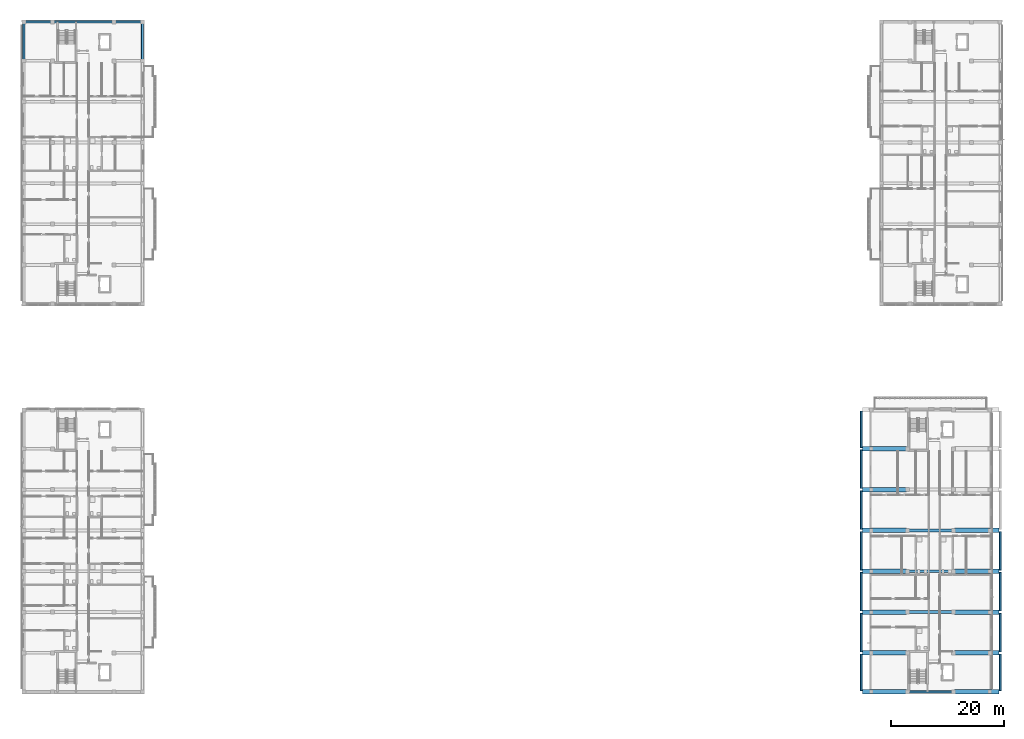
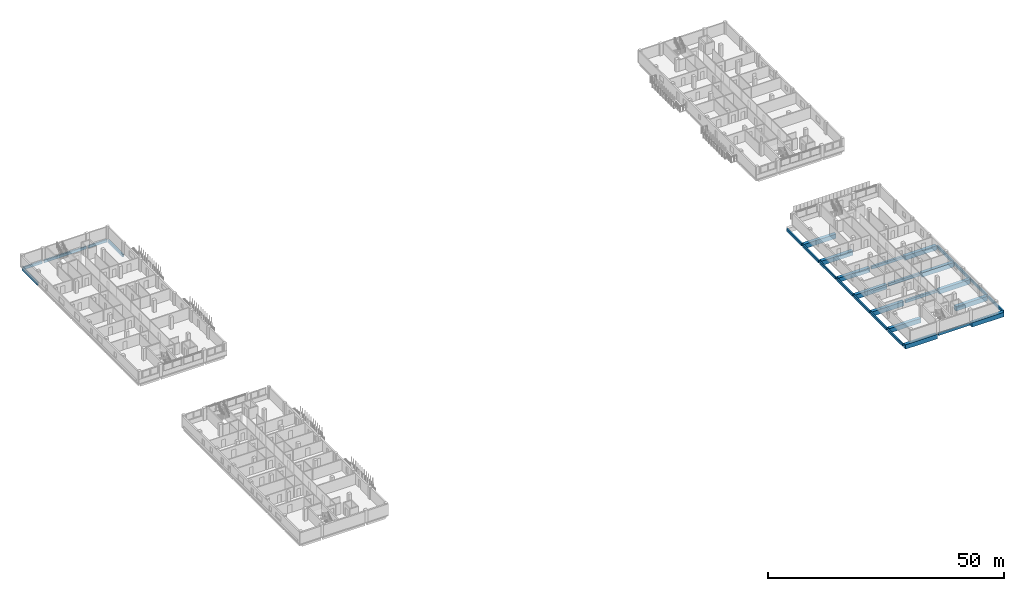
# One storey, part 14 of 51: 32 beams.
"""IFC4 building model written with IfcOpenShell, lengths in metres."""

from ifc_helpers import new_model, si_unit, derived_unit, direction, frame, origin, origin_2d, place, context, subcontext, project, spatial, rectangle, extrude, material, material_profile, profile_set, type_object, element, save


model = new_model("IFC4")

# Units and contexts
model_context = context("Model", 3, precision=1e-05, world=origin(), true_north=direction((0.0, 1.0)))
body_context = subcontext(model_context, "Body", "Model", "MODEL_VIEW")
ifc_project = project(units=[si_unit("LENGTHUNIT", "METRE"), si_unit("AREAUNIT", "SQUARE_METRE"), si_unit("VOLUMEUNIT", "CUBIC_METRE"), si_unit("PLANEANGLEUNIT", "RADIAN"), si_unit("MASSUNIT", "GRAM", prefix="KILO"), derived_unit("THERMALTRANSMITTANCEUNIT", [(si_unit("MASSUNIT", "GRAM", prefix="KILO"), 1), (si_unit("TIMEUNIT", "SECOND"), -3), (si_unit("THERMODYNAMICTEMPERATUREUNIT", "KELVIN"), -1)])], contexts=[model_context])

# Site, building, storey
site_placement = place(None, origin())
site = spatial("IfcSite", under=ifc_project, at=site_placement, CompositionType="ELEMENT")
building_placement = place(site_placement, origin())
building = spatial("IfcBuilding", under=site, at=building_placement, Name="Ochrekiln Boulevard Commons", CompositionType="ELEMENT")
storey_placement = place(building_placement, frame((0.0, 0.0, 18.375)))
storey = spatial("IfcBuildingStorey", under=building, at=storey_placement, Name="L05", CompositionType="ELEMENT", Elevation=18.375)

# Beams
ifc_material = material(Name="Concrete C40/50", Category="concrete")
ifc_material_profile_1 = material_profile(ifc_material, rectangle(XDim=0.5, YDim=0.699951171875, at=origin_2d()), Name="RC-BM-500x700")
ifc_profile_set_1 = profile_set([ifc_material_profile_1], Name="Concrete C40/50")
beam_type_1 = type_object("IfcBeamType", Name="BM-RC-500x700", PredefinedType="BEAM", material=ifc_profile_set_1)
for number, where, z_axis, x_axis, name in (
    (1, (156.360107421875, 14.39990234375, -0.610107421875), (1.0, 0.0, 0.0), (0.0, 1.0, 0.0), "Block C L05 Beam B-5070 X7"),
    (2, (156.360107421875, 21.60009765625, -0.610107421875), (1.0, 0.0, 0.0), (0.0, 1.0, 0.0), "Block C L05 Beam B-5070 X10"),
    (3, (156.360107421875, 28.800048828125, -0.610107421875), (1.0, 0.0, 0.0), (0.0, 1.0, 0.0), "Block C L05 Beam B-5070 X13"),
):
    element("IfcBeam", number, at=place(storey_placement, frame(where, z_axis=z_axis, x_axis=x_axis)), inside=storey, type_object=beam_type_1, Name=name, PredefinedType="BEAM", context=body_context, shape_type="SweptSolid", body=[
        extrude(rectangle(XDim=0.5, YDim=0.699951171875, at=origin_2d()), origin(), (0.0, 0.0, 1.0), 7.679931640625),
    ])
ifc_material_profile_2 = material_profile(ifc_material, rectangle(XDim=0.800048828125, YDim=1.14990234375, at=origin_2d()), Name="RC-TRG-800x1150")
ifc_profile_set_2 = profile_set([ifc_material_profile_2], Name="Concrete C40/50")
beam_type_2 = type_object("IfcBeamType", Name="BM-TRG-800x1150", PredefinedType="BEAM", material=ifc_profile_set_2)
for number, where, z_axis, x_axis, name in (
    (4, (148.159912109375, 0.35009765625, -0.8349609375), (1.0, 0.0, 0.0), (0.0, 1.0, 0.0), "Block C L05 Beam TG-01 X1"),
    (5, (164.4599609375, 0.35009765625, -0.8349609375), (1.0, 0.0, 0.0), (0.0, 1.0, 0.0), "Block C L05 Beam TG-01 X3"),
    (6, (148.159912109375, 7.199951171875, -0.8349609375), (1.0, 0.0, 0.0), (0.0, 1.0, 0.0), "Block C L05 Beam TG-01 X4"),
    (7, (164.4599609375, 7.199951171875, -0.8349609375), (1.0, 0.0, 0.0), (0.0, 1.0, 0.0), "Block C L05 Beam TG-01 X5"),
    (8, (148.159912109375, 14.39990234375, -0.8349609375), (1.0, 0.0, 0.0), (0.0, 1.0, 0.0), "Block C L05 Beam TG-01 X6"),
    (9, (164.4599609375, 14.39990234375, -0.8349609375), (1.0, 0.0, 0.0), (0.0, 1.0, 0.0), "Block C L05 Beam TG-01 X8"),
    (10, (148.159912109375, 21.60009765625, -0.8349609375), (1.0, 0.0, 0.0), (0.0, 1.0, 0.0), "Block C L05 Beam TG-01 X9"),
    (11, (164.4599609375, 21.60009765625, -0.8349609375), (1.0, 0.0, 0.0), (0.0, 1.0, 0.0), "Block C L05 Beam TG-01 X11"),
    (12, (148.159912109375, 28.800048828125, -0.8349609375), (1.0, 0.0, 0.0), (0.0, 1.0, 0.0), "Block C L05 Beam TG-01 X12"),
    (13, (164.4599609375, 28.800048828125, -0.8349609375), (1.0, 0.0, 0.0), (0.0, 1.0, 0.0), "Block C L05 Beam TG-01 X14"),
    (14, (148.159912109375, 36.0, -0.8349609375), (1.0, 0.0, 0.0), (0.0, 1.0, 0.0), "Block C L05 Beam TG-01 X15"),
    (15, (148.159912109375, 43.199951171875, -0.8349609375), (1.0, 0.0, 0.0), (0.0, 1.0, 0.0), "Block C L05 Beam TG-01 X18"),
):
    element("IfcBeam", number, at=place(storey_placement, frame(where, z_axis=z_axis, x_axis=x_axis)), inside=storey, type_object=beam_type_2, Name=name, PredefinedType="BEAM", context=body_context, shape_type="SweptSolid", body=[
        extrude(rectangle(XDim=0.800048828125, YDim=1.14990234375, at=origin_2d()), origin(), (0.0, 0.0, 1.0), 7.780029296875),
    ])
ifc_material_profile_3 = material_profile(ifc_material, rectangle(XDim=0.35009765625, YDim=0.64990234375, at=origin_2d()), Name="RC-SPN-350x650")
ifc_profile_set_3 = profile_set([ifc_material_profile_3], Name="Concrete C40/50")
beam_type_3 = type_object("IfcBeamType", Name="SPN-RC-350x650", PredefinedType="SPANDREL", material=ifc_profile_set_3)
beam_1_placement = place(storey_placement, frame((0.56005859375, 118.449951171875, -0.5849609375), z_axis=(1.0, 0.0, 0.0), x_axis=(0.0, 1.0, 0.0)))
element("IfcBeam", 16, at=beam_1_placement, inside=storey, type_object=beam_type_3, Name="Block A L05 Beam SP-3565 X20", PredefinedType="SPANDREL", context=body_context, shape_type="SweptSolid", body=[
    extrude(rectangle(XDim=0.35009765625, YDim=0.64990234375, at=origin_2d()), origin(), (0.0, 0.0, 1.0), 4.6298828125),
])
beam_2_placement = place(storey_placement, frame((5.610107421875, 118.449951171875, -0.5849609375), z_axis=(1.0, 0.0, 0.0), x_axis=(0.0, 1.0, 0.0)))
element("IfcBeam", 17, at=beam_2_placement, inside=storey, type_object=beam_type_3, Name="Block A L05 Beam SP-3565 X21", PredefinedType="SPANDREL", context=body_context, shape_type="SweptSolid", body=[
    extrude(rectangle(XDim=0.35009765625, YDim=0.64990234375, at=origin_2d()), origin(), (0.0, 0.0, 1.0), 10.3798828125),
])
beam_3_placement = place(storey_placement, frame((16.409912109375, 118.449951171875, -0.5849609375), z_axis=(1.0, 0.0, 0.0), x_axis=(0.0, 1.0, 0.0)))
element("IfcBeam", 18, at=beam_3_placement, inside=storey, type_object=beam_type_3, Name="Block A L05 Beam SP-3565 X22", PredefinedType="SPANDREL", context=body_context, shape_type="SweptSolid", body=[
    extrude(rectangle(XDim=0.35009765625, YDim=0.64990234375, at=origin_2d()), origin(), (0.0, 0.0, 1.0), 4.630126953125),
])
for number, where, z_axis, x_axis, name in (
    (19, (0.35009765625, 111.81005859375, -0.5849609375), (0.0, 1.0, 0.0), (-1.0, 0.0, 0.0), "Block A L05 Beam SP-3565 Y29"),
    (20, (21.25, 111.81005859375, -0.5849609375), (0.0, 1.0, 0.0), (-1.0, 0.0, 0.0), "Block A L05 Beam SP-3565 Y36"),
):
    element("IfcBeam", number, at=place(storey_placement, frame(where, z_axis=z_axis, x_axis=x_axis)), inside=storey, type_object=beam_type_3, Name=name, PredefinedType="SPANDREL", context=body_context, shape_type="SweptSolid", body=[
        extrude(rectangle(XDim=0.35009765625, YDim=0.64990234375, at=origin_2d()), origin(), (0.0, 0.0, 1.0), 6.429931640625),
    ])
beam_4_placement = place(storey_placement, frame((156.360107421875, 0.35009765625, -0.5849609375), z_axis=(1.0, 0.0, 0.0), x_axis=(0.0, 1.0, 0.0)))
element("IfcBeam", 21, at=beam_4_placement, inside=storey, type_object=beam_type_3, Name="Block C L05 Beam SP-3565 X2", PredefinedType="SPANDREL", context=body_context, shape_type="SweptSolid", body=[
    extrude(rectangle(XDim=0.35009765625, YDim=0.64990234375, at=origin_2d()), origin(), (0.0, 0.0, 1.0), 7.679931640625),
])
beam_5_placement = place(storey_placement, frame((147.949951171875, 0.56005859375, -0.5849609375), z_axis=(0.0, 1.0, 0.0), x_axis=(-1.0, 0.0, 0.0)))
element("IfcBeam", 22, at=beam_5_placement, inside=storey, type_object=beam_type_3, Name="Block C L05 Beam SP-3565 Y23", PredefinedType="SPANDREL", context=body_context, shape_type="SweptSolid", body=[
    extrude(rectangle(XDim=0.35009765625, YDim=0.64990234375, at=origin_2d()), origin(), (0.0, 0.0, 1.0), 6.429931640625),
])
beam_6_placement = place(storey_placement, frame((147.949951171875, 7.409912109375, -0.5849609375), z_axis=(0.0, 1.0, 0.0), x_axis=(-1.0, 0.0, 0.0)))
element("IfcBeam", 23, at=beam_6_placement, inside=storey, type_object=beam_type_3, Name="Block C L05 Beam SP-3565 Y24", PredefinedType="SPANDREL", context=body_context, shape_type="SweptSolid", body=[
    extrude(rectangle(XDim=0.35009765625, YDim=0.64990234375, at=origin_2d()), origin(), (0.0, 0.0, 1.0), 6.780029296875),
])
beam_7_placement = place(storey_placement, frame((147.949951171875, 14.610107421875, -0.5849609375), z_axis=(0.0, 1.0, 0.0), x_axis=(-1.0, 0.0, 0.0)))
element("IfcBeam", 24, at=beam_7_placement, inside=storey, type_object=beam_type_3, Name="Block C L05 Beam SP-3565 Y25", PredefinedType="SPANDREL", context=body_context, shape_type="SweptSolid", body=[
    extrude(rectangle(XDim=0.35009765625, YDim=0.64990234375, at=origin_2d()), origin(), (0.0, 0.0, 1.0), 6.77978515625),
])
for number, where, z_axis, x_axis, name in (
    (25, (147.949951171875, 21.81005859375, -0.5849609375), (0.0, 1.0, 0.0), (-1.0, 0.0, 0.0), "Block C L05 Beam SP-3565 Y26"),
    (26, (147.949951171875, 29.010009765625, -0.5849609375), (0.0, 1.0, 0.0), (-1.0, 0.0, 0.0), "Block C L05 Beam SP-3565 Y27"),
    (27, (147.949951171875, 36.2099609375, -0.5849609375), (0.0, 1.0, 0.0), (-1.0, 0.0, 0.0), "Block C L05 Beam SP-3565 Y28"),
):
    element("IfcBeam", number, at=place(storey_placement, frame(where, z_axis=z_axis, x_axis=x_axis)), inside=storey, type_object=beam_type_3, Name=name, PredefinedType="SPANDREL", context=body_context, shape_type="SweptSolid", body=[
        extrude(rectangle(XDim=0.35009765625, YDim=0.64990234375, at=origin_2d()), origin(), (0.0, 0.0, 1.0), 6.780029296875),
    ])
beam_8_placement = place(storey_placement, frame((147.949951171875, 43.409912109375, -0.5849609375), z_axis=(0.0, 1.0, 0.0), x_axis=(-1.0, 0.0, 0.0)))
element("IfcBeam", 28, at=beam_8_placement, inside=storey, type_object=beam_type_3, Name="Block C L05 Beam SP-3565 Y29", PredefinedType="SPANDREL", context=body_context, shape_type="SweptSolid", body=[
    extrude(rectangle(XDim=0.35009765625, YDim=0.64990234375, at=origin_2d()), origin(), (0.0, 0.0, 1.0), 6.43017578125),
])
beam_9_placement = place(storey_placement, frame((172.449951171875, 0.56005859375, -0.5849609375), z_axis=(0.0, 1.0, 0.0), x_axis=(-1.0, 0.0, 0.0)))
element("IfcBeam", 29, at=beam_9_placement, inside=storey, type_object=beam_type_3, Name="Block C L05 Beam SP-3565 Y30", PredefinedType="SPANDREL", context=body_context, shape_type="SweptSolid", body=[
    extrude(rectangle(XDim=0.35009765625, YDim=0.64990234375, at=origin_2d()), origin(), (0.0, 0.0, 1.0), 6.429931640625),
])
beam_10_placement = place(storey_placement, frame((172.449951171875, 7.409912109375, -0.5849609375), z_axis=(0.0, 1.0, 0.0), x_axis=(-1.0, 0.0, 0.0)))
element("IfcBeam", 30, at=beam_10_placement, inside=storey, type_object=beam_type_3, Name="Block C L05 Beam SP-3565 Y31", PredefinedType="SPANDREL", context=body_context, shape_type="SweptSolid", body=[
    extrude(rectangle(XDim=0.35009765625, YDim=0.64990234375, at=origin_2d()), origin(), (0.0, 0.0, 1.0), 6.780029296875),
])
beam_11_placement = place(storey_placement, frame((172.449951171875, 14.610107421875, -0.5849609375), z_axis=(0.0, 1.0, 0.0), x_axis=(-1.0, 0.0, 0.0)))
element("IfcBeam", 31, at=beam_11_placement, inside=storey, type_object=beam_type_3, Name="Block C L05 Beam SP-3565 Y32", PredefinedType="SPANDREL", context=body_context, shape_type="SweptSolid", body=[
    extrude(rectangle(XDim=0.35009765625, YDim=0.64990234375, at=origin_2d()), origin(), (0.0, 0.0, 1.0), 6.77978515625),
])
beam_12_placement = place(storey_placement, frame((172.449951171875, 21.81005859375, -0.5849609375), z_axis=(0.0, 1.0, 0.0), x_axis=(-1.0, 0.0, 0.0)))
element("IfcBeam", 32, at=beam_12_placement, inside=storey, type_object=beam_type_3, Name="Block C L05 Beam SP-3565 Y33", PredefinedType="SPANDREL", context=body_context, shape_type="SweptSolid", body=[
    extrude(rectangle(XDim=0.35009765625, YDim=0.64990234375, at=origin_2d()), origin(), (0.0, 0.0, 1.0), 6.780029296875),
])

save(model, "model.ifc")
